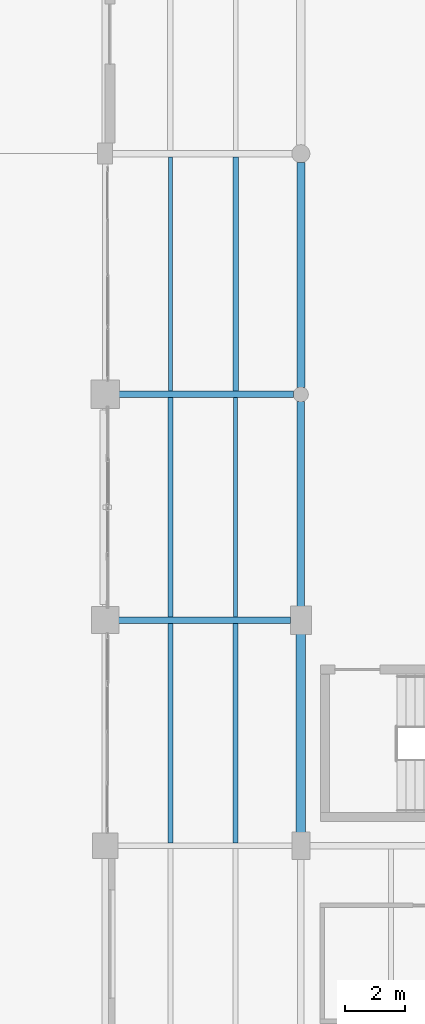
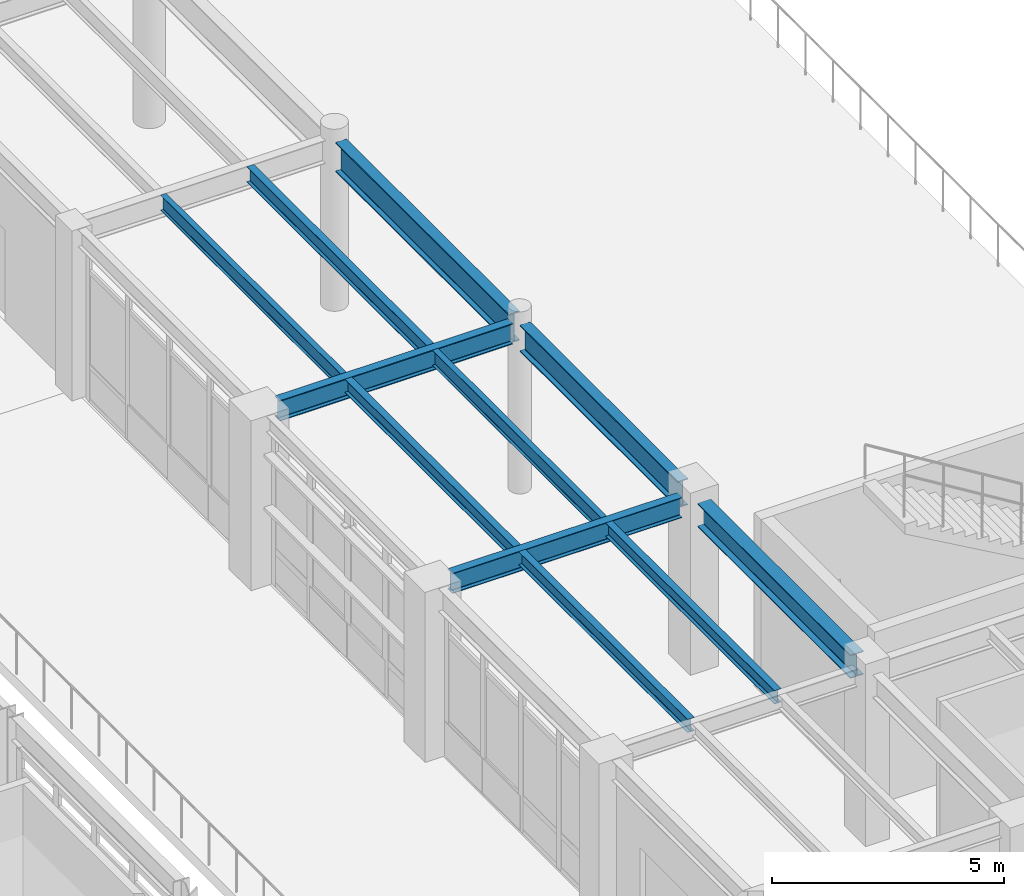
# One storey, part 32 of 200: 11 beams.
"""IFC4 building model written with IfcOpenShell, lengths in metres."""

import ifcopenshell
import ifcopenshell.guid

model = None  # the IFC model being written
_history = None  # IfcOwnerHistory: only IFC2X3 demands one
_inside = {}  # id of a spatial element -> (the spatial element, [elements in it])
_under = {}  # id of a project, library or spatial element -> (it, [spatial elements below it])
_declared = {}  # id of a project -> (the project, [libraries it declares])
_typed = {}  # id of a type object -> (the type object, [elements of that type])
_made_of = {}  # id of a material, layer set ... -> (it, [elements and type objects made of it])


def new_model(schema):
    """Start an empty IFC model of exactly this schema.

    Asked for "IFC4X3", IfcOpenShell would pick the latest addendum, in which some entities
    have other attributes; the version numbers below select the first issue.
    IFC2X3 requires an IfcOwnerHistory on every rooted entity: one is made here for all.
    """
    global model, _history
    if schema == "IFC4X3":
        model = ifcopenshell.file(schema_version=(4, 3, 0, 0))
    else:
        model = ifcopenshell.file(schema=schema)
    _inside.clear()
    _under.clear()
    _declared.clear()
    _typed.clear()
    _made_of.clear()
    _history = None
    if model.schema == "IFC2X3":
        org = make("IfcOrganization", Name="unknown")
        user = make(
            "IfcPersonAndOrganization",
            ThePerson=make("IfcPerson", FamilyName="unknown"),
            TheOrganization=org,
        )
        app = make(
            "IfcApplication",
            ApplicationDeveloper=org,
            Version="unknown",
            ApplicationFullName="unknown",
            ApplicationIdentifier="unknown",
        )
        _history = make(
            "IfcOwnerHistory",
            OwningUser=user,
            OwningApplication=app,
            ChangeAction="ADDED",
            CreationDate=0,
        )
    return model


def make(cls, **values):
    """One entity of the class cls with the attributes given. An attribute that is None is left unset."""
    return model.create_entity(
        cls, **{name: value for name, value in values.items() if value is not None}
    )


def rooted(cls, **values):
    """An entity with a GlobalId (a new one), such as an element, a storey or a relation."""
    return make(cls, GlobalId=ifcopenshell.guid.new(), OwnerHistory=_history, **values)


def si_unit(unit_type, name, prefix=None):
    """IfcSIUnit, for example si_unit("LENGTHUNIT", "METRE", prefix="MILLI")."""
    return make("IfcSIUnit", UnitType=unit_type, Prefix=prefix, Name=name)


def assignment(units):
    """IfcUnitAssignment: the units of a project."""
    return None if units is None else make("IfcUnitAssignment", Units=units)


def point(xyz):
    """IfcCartesianPoint."""
    return None if xyz is None else make("IfcCartesianPoint", Coordinates=xyz)


def direction(xyz):
    """IfcDirection."""
    return None if xyz is None else make("IfcDirection", DirectionRatios=xyz)


def frame(location, z_axis=None, x_axis=None):
    """IfcAxis2Placement3D, a coordinate frame: its origin and axes. An axis left out is left unset."""
    return make(
        "IfcAxis2Placement3D",
        Location=point(location),
        Axis=direction(z_axis),
        RefDirection=direction(x_axis),
    )


def frame_2d(location, x_axis=None):
    """IfcAxis2Placement2D, a coordinate frame in the plane: its origin and x axis."""
    return make(
        "IfcAxis2Placement2D", Location=point(location), RefDirection=direction(x_axis)
    )


def origin():
    """The frame at (0, 0, 0) with its axes left unset."""
    return frame((0.0, 0.0, 0.0))


def origin_2d():
    """The frame at (0, 0) in the plane with its x axis left unset."""
    return frame_2d((0.0, 0.0))


def place(relative_to, where):
    """IfcLocalPlacement: puts the frame where relative to a parent placement (None: the world)."""
    return make(
        "IfcLocalPlacement", PlacementRelTo=relative_to, RelativePlacement=where
    )


def context(
    kind, dimensions, precision=None, world=None, true_north=None, identifier=None
):
    """IfcGeometricRepresentationContext, for example the 3D "Model" context."""
    return make(
        "IfcGeometricRepresentationContext",
        ContextIdentifier=identifier,
        ContextType=kind,
        CoordinateSpaceDimension=dimensions,
        Precision=precision,
        WorldCoordinateSystem=world,
        TrueNorth=true_north,
    )


def subcontext(parent, identifier, kind, view, scale=None):
    """IfcGeometricRepresentationSubContext, for example "Body" below "Model"."""
    return make(
        "IfcGeometricRepresentationSubContext",
        ContextIdentifier=identifier,
        ContextType=kind,
        ParentContext=parent,
        TargetScale=scale,
        TargetView=view,
    )


def project(units=None, contexts=None):
    """IfcProject with its units and contexts."""
    return rooted(
        "IfcProject",
        Name="project",
        RepresentationContexts=contexts,
        UnitsInContext=assignment(units),
    )


def spatial(cls, under=None, at=None, **own):
    """A site, building, storey or space (cls), placed at a placement, below another one or the project."""
    s = rooted(cls, ObjectPlacement=at, **own)
    if under is not None:
        _under.setdefault(under.id(), (under, []))[1].append(s)
    return s


def profile(cls, at=None, kind="AREA", **sizes):
    """A parametric profile (cls). Its sizes go by their IFC names, for example OverallWidth=200.0."""
    return make(cls, ProfileType=kind, Position=at, **sizes)


def i_section(**sizes):
    """IfcIShapeProfileDef."""
    return profile("IfcIShapeProfileDef", **sizes)


def extrude(swept, where, along, depth):
    """IfcExtrudedAreaSolid: the profile swept, set in the frame where, extruded along a direction by depth."""
    return make(
        "IfcExtrudedAreaSolid",
        SweptArea=swept,
        Position=where,
        ExtrudedDirection=direction(along),
        Depth=depth,
    )


def shape(context_of_items, identifier, shape_type, items):
    """IfcShapeRepresentation: the items that make up one representation, for example the "Body"."""
    return make(
        "IfcShapeRepresentation",
        ContextOfItems=context_of_items,
        RepresentationIdentifier=identifier,
        RepresentationType=shape_type,
        Items=items,
    )


def material(Name=None, Category=None):
    """IfcMaterial."""
    return make("IfcMaterial", Name=Name, Category=Category)


def material_profile(
    of_material, cross_section, Name=None, Category=None, Priority=None
):
    """IfcMaterialProfile: a cross section and its material."""
    return make(
        "IfcMaterialProfile",
        Name=Name,
        Material=of_material,
        Profile=cross_section,
        Priority=Priority,
        Category=Category,
    )


def profile_set(profiles, Name=None, composite=None):
    """IfcMaterialProfileSet."""
    return make(
        "IfcMaterialProfileSet",
        Name=Name,
        MaterialProfiles=profiles,
        CompositeProfile=composite,
    )


def made_of(thing, what):
    """Note that an element or type object is made of a material, layer set ...; save() writes the relation."""
    if what is not None:
        _made_of.setdefault(what.id(), (what, []))[1].append(thing)
    return thing


def type_object(cls, material=None, **own):
    """A type object (cls), such as IfcWallType, which elements share."""
    return made_of(rooted(cls, **own), material)


def element(
    cls,
    number,
    at=None,
    inside=None,
    cuts=None,
    type_object=None,
    material=None,
    context=None,
    identifier="Body",
    shape_type=None,
    held_by="IfcProductDefinitionShape",
    body=None,
    shapes=None,
    **own,
):
    """One element of the class cls, such as IfcWall. Its Tag is "e" and its number.

    at: its placement. inside: the storey or other place that contains it. cuts: it is an
    opening in that element (IfcRelVoidsElement). A single representation is given by context,
    identifier, shape_type and body (its items); several are given by shapes. held_by: the class
    of the entity that holds the representations. save() writes the other relations.
    """
    e = rooted(cls, Tag="e%d" % number, ObjectPlacement=at, **own)
    if body is not None:
        shapes = [shape(context, identifier, shape_type, body)]
    if shapes is not None:
        e.Representation = make(held_by, Representations=shapes)
    if inside is not None:
        _inside.setdefault(inside.id(), (inside, []))[1].append(e)
    if cuts is not None:
        rooted(
            "IfcRelVoidsElement", RelatingBuildingElement=cuts, RelatedOpeningElement=e
        )
    if type_object is not None:
        _typed.setdefault(type_object.id(), (type_object, []))[1].append(e)
    return made_of(e, material)


def aggregate(whole, parts):
    """IfcRelAggregates: a whole, such as a stair, and the parts it consists of."""
    return rooted("IfcRelAggregates", RelatingObject=whole, RelatedObjects=parts)


def save(model, path):
    """Write the relations noted so far, then the file.

    IfcRelAggregates (storeys below a building ...), IfcRelContainedInSpatialStructure (elements
    in a storey), IfcRelDefinesByType, IfcRelAssociatesMaterial and IfcRelDeclares: one each for
    every whole, place, type object, material and project.
    """
    for whole, parts in _under.values():
        aggregate(whole, parts)
    for where, things in _inside.values():
        rooted(
            "IfcRelContainedInSpatialStructure",
            RelatedElements=things,
            RelatingStructure=where,
        )
    for kind, things in _typed.values():
        rooted("IfcRelDefinesByType", RelatedObjects=things, RelatingType=kind)
    for what, things in _made_of.values():
        rooted("IfcRelAssociatesMaterial", RelatedObjects=things, RelatingMaterial=what)
    for by, libraries in _declared.values():
        rooted("IfcRelDeclares", RelatingContext=by, RelatedDefinitions=libraries)
    model.write(path)


model = new_model("IFC4")

# Units and contexts
model_context = context("Model", 3, precision=1e-05, world=origin(), true_north=direction((0.0, 1.0)))
body_context = subcontext(model_context, "Body", "Model", "MODEL_VIEW")
ifc_project = project(units=[si_unit("LENGTHUNIT", "METRE"), si_unit("AREAUNIT", "SQUARE_METRE"), si_unit("VOLUMEUNIT", "CUBIC_METRE"), si_unit("PLANEANGLEUNIT", "RADIAN"), si_unit("MASSUNIT", "GRAM", prefix="KILO"), si_unit("THERMODYNAMICTEMPERATUREUNIT", "KELVIN"), si_unit("POWERUNIT", "WATT")], contexts=[model_context])

# Site, building, storey
site_placement = place(None, origin())
site = spatial("IfcSite", under=ifc_project, at=site_placement, CompositionType="ELEMENT")
building_placement = place(site_placement, origin())
building = spatial("IfcBuilding", under=site, at=building_placement, Name="Tepalcoro Natatorium and Aquatics Centre", CompositionType="ELEMENT")
storey_placement = place(building_placement, frame((0.0, 0.0, 5.39990234375)))
storey = spatial("IfcBuildingStorey", under=building, at=storey_placement, Name="L01", CompositionType="ELEMENT", Elevation=5.39990234375)

# Beams
ifc_material = material(Name="Steel ASTM A992 Grade 50 (Fy 345 MPa)", Category="steel")
ifc_material_profile_1 = material_profile(ifc_material, i_section(OverallWidth=0.2099609375, OverallDepth=0.532958984375, WebThickness=0.010009765625, FlangeThickness=0.01611328125, FilletRadius=0.013916015625, at=origin_2d()), Name="W21X62")
ifc_profile_set_1 = profile_set([ifc_material_profile_1], Name="Steel ASTM A992 Grade 50 (Fy 345 MPa)")
beam_type_1 = type_object("IfcBeamType", Name="BM_W21x62", PredefinedType="BEAM", material=ifc_profile_set_1)
beam_1_placement = place(storey_placement, frame((46.93505859375, 20.5, 4.198486328125), z_axis=(1.0, 0.0, 0.0), x_axis=(0.0, 1.0, 0.0)))
element("IfcBeam", 1, at=beam_1_placement, inside=storey, type_object=beam_type_1, Name="V1 L01 Grid Girder X", PredefinedType="BEAM", context=body_context, shape_type="SweptSolid", body=[
    extrude(i_section(OverallWidth=0.2099609375, OverallDepth=0.532958984375, WebThickness=0.010009765625, FlangeThickness=0.01611328125, FilletRadius=0.013916015625, at=origin_2d()), origin(), (0.0, 0.0, 1.0), 5.72998046875),
])
ifc_material_profile_2 = material_profile(ifc_material, i_section(OverallWidth=0.2119140625, OverallDepth=0.5439453125, WebThickness=0.012939453125, FlangeThickness=0.02099609375, FilletRadius=0.013916015625, at=origin_2d()), Name="W21X83")
ifc_profile_set_2 = profile_set([ifc_material_profile_2], Name="Steel ASTM A992 Grade 50 (Fy 345 MPa)")
beam_type_2 = type_object("IfcBeamType", Name="BM_W21x83", PredefinedType="BEAM", material=ifc_profile_set_2)
beam_2_placement = place(storey_placement, frame((46.9599609375, 28.0, 4.193115234375), z_axis=(1.0, 0.0, 0.0), x_axis=(0.0, 1.0, 0.0)))
element("IfcBeam", 2, at=beam_2_placement, inside=storey, type_object=beam_type_2, Name="V1 L01 Grid Girder X", PredefinedType="BEAM", context=body_context, shape_type="SweptSolid", body=[
    extrude(i_section(OverallWidth=0.2119140625, OverallDepth=0.5439453125, WebThickness=0.012939453125, FlangeThickness=0.02099609375, FilletRadius=0.013916015625, at=origin_2d()), origin(), (0.0, 0.0, 1.0), 5.804931640625),
])
ifc_material_profile_3 = material_profile(ifc_material, i_section(OverallWidth=0.324951171875, OverallDepth=0.616943359375, WebThickness=0.013916015625, FlangeThickness=0.02197265625, FilletRadius=0.013916015625, at=origin_2d()), Name="W24X117")
ifc_profile_set_3 = profile_set([ifc_material_profile_3], Name="Steel ASTM A992 Grade 50 (Fy 345 MPa)")
beam_type_3 = type_object("IfcBeamType", Name="BM_W24x117", PredefinedType="BEAM", material=ifc_profile_set_3)
beam_3_placement = place(storey_placement, frame((53.0, 13.43505859375, 4.156494140625), z_axis=(0.0, 1.0, 0.0), x_axis=(-1.0, 0.0, 0.0)))
element("IfcBeam", 3, at=beam_3_placement, inside=storey, type_object=beam_type_3, Name="V1 L01 Grid Girder Y", PredefinedType="BEAM", context=body_context, shape_type="SweptSolid", body=[
    extrude(i_section(OverallWidth=0.324951171875, OverallDepth=0.616943359375, WebThickness=0.013916015625, FlangeThickness=0.02197265625, FilletRadius=0.013916015625, at=origin_2d()), origin(), (0.0, 0.0, 1.0), 6.60498046875),
])
ifc_material_profile_4 = material_profile(ifc_material, i_section(OverallWidth=0.25390625, OverallDepth=0.700927734375, WebThickness=0.014892578125, FlangeThickness=0.028076171875, FilletRadius=0.013916015625, at=origin_2d()), Name="W27X129")
ifc_profile_set_4 = profile_set([ifc_material_profile_4], Name="Steel ASTM A992 Grade 50 (Fy 345 MPa)")
beam_type_4 = type_object("IfcBeamType", Name="BM_W27x129", PredefinedType="BEAM", material=ifc_profile_set_4)
beam_4_placement = place(storey_placement, frame((53.0, 20.9599609375, 4.114501953125), z_axis=(0.0, 1.0, 0.0), x_axis=(-1.0, 0.0, 0.0)))
element("IfcBeam", 4, at=beam_4_placement, inside=storey, type_object=beam_type_4, Name="V1 L01 Grid Girder Y", PredefinedType="BEAM", context=body_context, shape_type="SweptSolid", body=[
    extrude(i_section(OverallWidth=0.25390625, OverallDepth=0.700927734375, WebThickness=0.014892578125, FlangeThickness=0.028076171875, FilletRadius=0.013916015625, at=origin_2d()), origin(), (0.0, 0.0, 1.0), 6.804931640625),
])
ifc_material_profile_5 = material_profile(ifc_material, i_section(OverallWidth=0.26708984375, OverallDepth=0.780029296875, WebThickness=0.01708984375, FlangeThickness=0.030029296875, FilletRadius=0.013916015625, at=origin_2d()), Name="W30X148")
ifc_profile_set_5 = profile_set([ifc_material_profile_5], Name="Steel ASTM A992 Grade 50 (Fy 345 MPa)")
beam_type_5 = type_object("IfcBeamType", Name="BM_W30x148", PredefinedType="BEAM", material=ifc_profile_set_5)
beam_5_placement = place(storey_placement, frame((53.0, 28.235107421875, 4.0751953125), z_axis=(0.0, 1.0, 0.0), x_axis=(-1.0, 0.0, 0.0)))
element("IfcBeam", 5, at=beam_5_placement, inside=storey, type_object=beam_type_5, Name="V1 L01 Grid Girder Y", PredefinedType="BEAM", context=body_context, shape_type="SweptSolid", body=[
    extrude(i_section(OverallWidth=0.26708984375, OverallDepth=0.780029296875, WebThickness=0.01708984375, FlangeThickness=0.030029296875, FilletRadius=0.013916015625, at=origin_2d()), origin(), (0.0, 0.0, 1.0), 7.47998046875),
])
ifc_material_profile_6 = material_profile(ifc_material, i_section(OverallWidth=0.1708984375, OverallDepth=0.35107421875, WebThickness=0.007080078125, FlangeThickness=0.010009765625, FilletRadius=0.013916015625, at=origin_2d()), Name="W14X30")
ifc_profile_set_6 = profile_set([ifc_material_profile_6], Name="Steel ASTM A992 Grade 50 (Fy 345 MPa)")
beam_type_6 = type_object("IfcBeamType", Name="JS_W14x30", PredefinedType="JOIST", material=ifc_profile_set_6)
beam_6_placement = place(storey_placement, frame((48.666748046875, 13.096435546875, 4.28955078125), z_axis=(0.0, 1.0, 0.0), x_axis=(-1.0, 0.0, 0.0)))
element("IfcBeam", 6, at=beam_6_placement, inside=storey, type_object=beam_type_6, Name="V1 L01 Floor Joist", PredefinedType="JOIST", context=body_context, shape_type="SweptSolid", body=[
    extrude(i_section(OverallWidth=0.1708984375, OverallDepth=0.35107421875, WebThickness=0.007080078125, FlangeThickness=0.010009765625, FilletRadius=0.013916015625, at=origin_2d()), origin(), (0.0, 0.0, 1.0), 7.298583984375),
])
ifc_material_profile_7 = material_profile(ifc_material, i_section(OverallWidth=0.172119140625, OverallDepth=0.35791015625, WebThickness=0.008056640625, FlangeThickness=0.012939453125, FilletRadius=0.013916015625, at=origin_2d()), Name="W14X38")
ifc_profile_set_7 = profile_set([ifc_material_profile_7], Name="Steel ASTM A992 Grade 50 (Fy 345 MPa)")
beam_type_7 = type_object("IfcBeamType", Name="JS_W14x38", PredefinedType="JOIST", material=ifc_profile_set_7)
beam_7_placement = place(storey_placement, frame((50.833251953125, 13.096435546875, 4.2861328125), z_axis=(0.0, 1.0, 0.0), x_axis=(-1.0, 0.0, 0.0)))
element("IfcBeam", 7, at=beam_7_placement, inside=storey, type_object=beam_type_7, Name="V1 L01 Floor Joist", PredefinedType="JOIST", context=body_context, shape_type="SweptSolid", body=[
    extrude(i_section(OverallWidth=0.172119140625, OverallDepth=0.35791015625, WebThickness=0.008056640625, FlangeThickness=0.012939453125, FilletRadius=0.013916015625, at=origin_2d()), origin(), (0.0, 0.0, 1.0), 7.298583984375),
])
beam_8_placement = place(storey_placement, frame((48.666748046875, 20.60498046875, 4.2861328125), z_axis=(0.0, 1.0, 0.0), x_axis=(-1.0, 0.0, 0.0)))
element("IfcBeam", 8, at=beam_8_placement, inside=storey, type_object=beam_type_7, Name="V1 L01 Floor Joist", PredefinedType="JOIST", context=body_context, shape_type="SweptSolid", body=[
    extrude(i_section(OverallWidth=0.172119140625, OverallDepth=0.35791015625, WebThickness=0.008056640625, FlangeThickness=0.012939453125, FilletRadius=0.013916015625, at=origin_2d()), origin(), (0.0, 0.0, 1.0), 7.2890625),
])
ifc_material_profile_8 = material_profile(ifc_material, i_section(OverallWidth=0.139892578125, OverallDepth=0.404052734375, WebThickness=0.007080078125, FlangeThickness=0.010986328125, FilletRadius=0.013916015625, at=origin_2d()), Name="W16X31")
ifc_profile_set_8 = profile_set([ifc_material_profile_8], Name="Steel ASTM A992 Grade 50 (Fy 345 MPa)")
beam_type_8 = type_object("IfcBeamType", Name="JS_W16x31", PredefinedType="JOIST", material=ifc_profile_set_8)
beam_9_placement = place(storey_placement, frame((50.833251953125, 20.60498046875, 4.26318359375), z_axis=(0.0, 1.0, 0.0), x_axis=(-1.0, 0.0, 0.0)))
element("IfcBeam", 9, at=beam_9_placement, inside=storey, type_object=beam_type_8, Name="V1 L01 Floor Joist", PredefinedType="JOIST", context=body_context, shape_type="SweptSolid", body=[
    extrude(i_section(OverallWidth=0.139892578125, OverallDepth=0.404052734375, WebThickness=0.007080078125, FlangeThickness=0.010986328125, FilletRadius=0.013916015625, at=origin_2d()), origin(), (0.0, 0.0, 1.0), 7.2890625),
])
beam_10_placement = place(storey_placement, frame((48.666748046875, 28.10595703125, 4.26318359375), z_axis=(0.0, 1.0, 0.0), x_axis=(-1.0, 0.0, 0.0)))
element("IfcBeam", 10, at=beam_10_placement, inside=storey, type_object=beam_type_8, Name="V1 L01 Floor Joist", PredefinedType="JOIST", context=body_context, shape_type="SweptSolid", body=[
    extrude(i_section(OverallWidth=0.139892578125, OverallDepth=0.404052734375, WebThickness=0.007080078125, FlangeThickness=0.010986328125, FilletRadius=0.013916015625, at=origin_2d()), origin(), (0.0, 0.0, 1.0), 7.780029296875),
])
ifc_material_profile_9 = material_profile(ifc_material, i_section(OverallWidth=0.178955078125, OverallDepth=0.409912109375, WebThickness=0.009033203125, FlangeThickness=0.013916015625, FilletRadius=0.013916015625, at=origin_2d()), Name="W16X45")
ifc_profile_set_9 = profile_set([ifc_material_profile_9], Name="Steel ASTM A992 Grade 50 (Fy 345 MPa)")
beam_type_9 = type_object("IfcBeamType", Name="JS_W16x45", PredefinedType="JOIST", material=ifc_profile_set_9)
beam_11_placement = place(storey_placement, frame((50.833251953125, 28.10595703125, 4.260009765625), z_axis=(0.0, 1.0, 0.0), x_axis=(-1.0, 0.0, 0.0)))
element("IfcBeam", 11, at=beam_11_placement, inside=storey, type_object=beam_type_9, Name="V1 L01 Floor Joist", PredefinedType="JOIST", context=body_context, shape_type="SweptSolid", body=[
    extrude(i_section(OverallWidth=0.178955078125, OverallDepth=0.409912109375, WebThickness=0.009033203125, FlangeThickness=0.013916015625, FilletRadius=0.013916015625, at=origin_2d()), origin(), (0.0, 0.0, 1.0), 7.780029296875),
])

save(model, "model.ifc")
